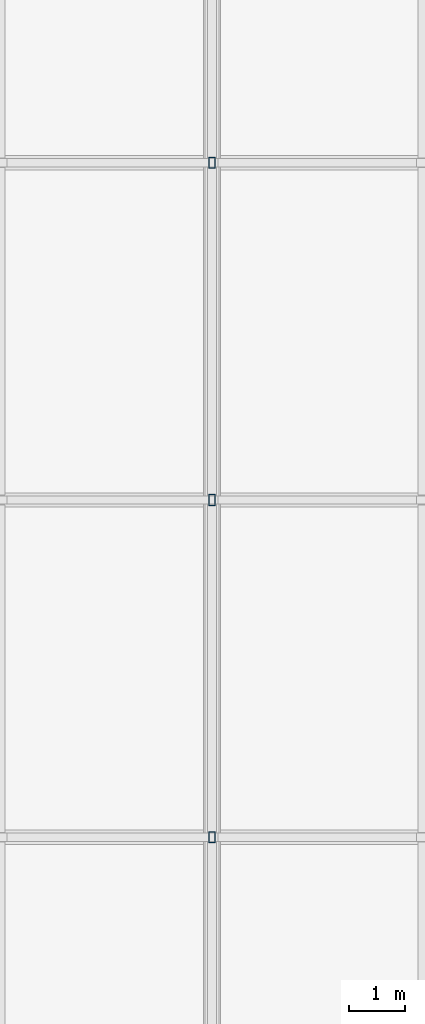
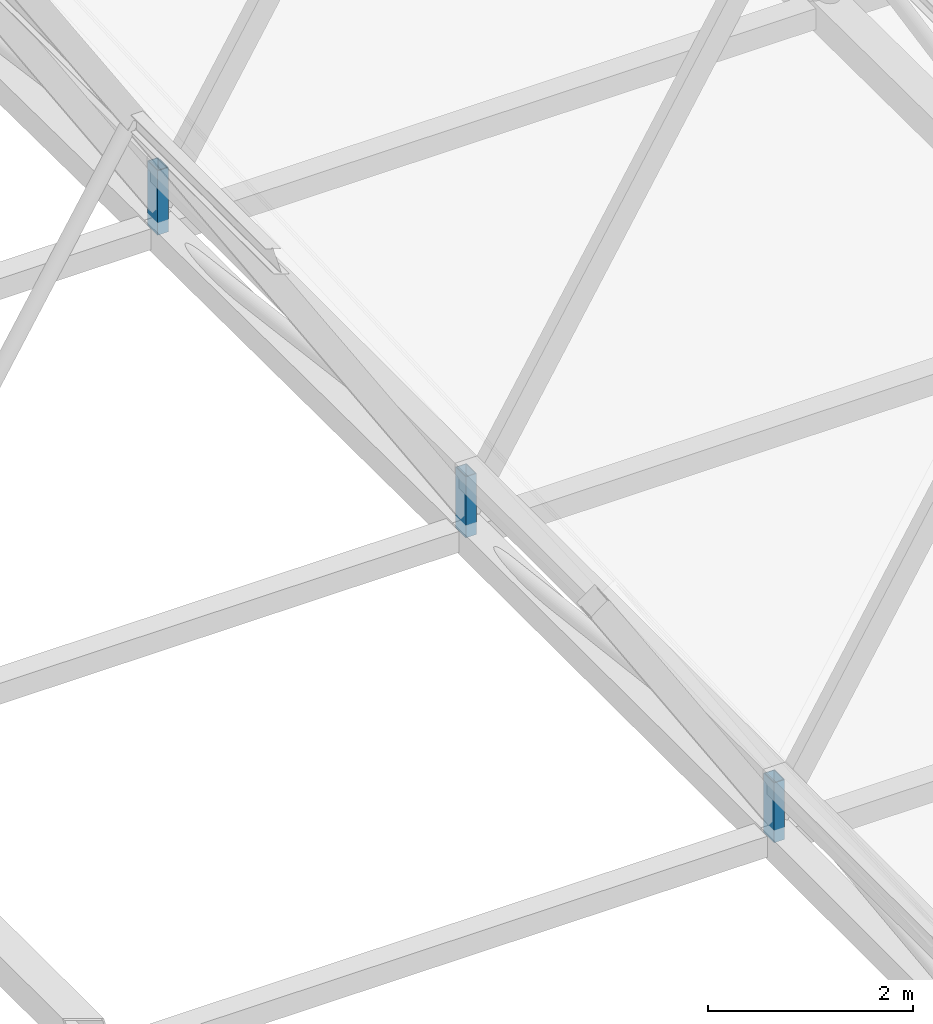
# One storey, part 251 of 324: 3 members.
"""IFC4 building model written with IfcOpenShell, lengths in metres."""

from ifc_helpers import new_model, si_unit, direction, frame, origin, origin_2d, place, context, subcontext, project, spatial, hollow_rectangle, extrude, material, material_profile, profile_set, type_object, element, save


model = new_model("IFC4")

# Units and contexts
model_context = context("Model", 3, precision=1e-05, world=origin(), true_north=direction((0.0, 1.0)))
body_context = subcontext(model_context, "Body", "Model", "MODEL_VIEW")
ifc_project = project(units=[si_unit("LENGTHUNIT", "METRE"), si_unit("AREAUNIT", "SQUARE_METRE"), si_unit("VOLUMEUNIT", "CUBIC_METRE"), si_unit("PLANEANGLEUNIT", "RADIAN"), si_unit("MASSUNIT", "GRAM", prefix="KILO")], contexts=[model_context])

# Site, building, storey
site_placement = place(None, origin())
site = spatial("IfcSite", under=ifc_project, at=site_placement, CompositionType="ELEMENT")
building_placement = place(site_placement, origin())
building = spatial("IfcBuilding", under=site, at=building_placement, Name="Solvenia Promenade Tram Depot", CompositionType="ELEMENT")
storey_placement = place(building_placement, frame((0.0, 0.0, 4.5)))
storey = spatial("IfcBuildingStorey", under=building, at=storey_placement, Name="L01", CompositionType="ELEMENT", Elevation=4.5)

# Members
ifc_material = material(Name="Structural steel ASTM A500 Gr. C", Category="steel")
ifc_material_profile = material_profile(ifc_material, hollow_rectangle(XDim=0.1201171875, YDim=0.199951171875, WallThickness=0.008056640625, at=origin_2d()), Name="HSS200x120x8", Category="steel")
ifc_profile_set = profile_set([ifc_material_profile], Name="Structural steel ASTM A500 Gr. C")
member_type = type_object("IfcMemberType", Name="Post-HSS200x120x8", PredefinedType="POST", material=ifc_profile_set)
member_1_placement = place(storey_placement, frame((30.0, 96.0, 2.669921875), z_axis=(0.0, 0.0, 1.0), x_axis=(1.0, 0.0, 0.0)))
element("IfcMember", 1, at=member_1_placement, inside=storey, type_object=member_type, Name="Arched Truss T05 Web Post S05", PredefinedType="POST", context=body_context, shape_type="SweptSolid", body=[
    extrude(hollow_rectangle(XDim=0.1201171875, YDim=0.199951171875, WallThickness=0.008056640625, at=origin_2d()), origin(), (0.0, 0.0, 1.0), 0.7099609375),
])
member_2_placement = place(storey_placement, frame((30.0, 102.0, 2.656005859375), z_axis=(0.0, 0.0, 1.0), x_axis=(1.0, 0.0, 0.0)))
element("IfcMember", 2, at=member_2_placement, inside=storey, type_object=member_type, Name="Arched Truss T05 Web Post S06", PredefinedType="POST", context=body_context, shape_type="SweptSolid", body=[
    extrude(hollow_rectangle(XDim=0.1201171875, YDim=0.199951171875, WallThickness=0.008056640625, at=origin_2d()), origin(), (0.0, 0.0, 1.0), 0.723876953125),
])
member_3_placement = place(storey_placement, frame((30.0, 108.0, 2.614013671875), z_axis=(0.0, 0.0, 1.0), x_axis=(1.0, 0.0, 0.0)))
element("IfcMember", 3, at=member_3_placement, inside=storey, type_object=member_type, Name="Arched Truss T05 Web Post S07", PredefinedType="POST", context=body_context, shape_type="SweptSolid", body=[
    extrude(hollow_rectangle(XDim=0.1201171875, YDim=0.199951171875, WallThickness=0.008056640625, at=origin_2d()), origin(), (0.0, 0.0, 1.0), 0.765869140625),
])

save(model, "model.ifc")
